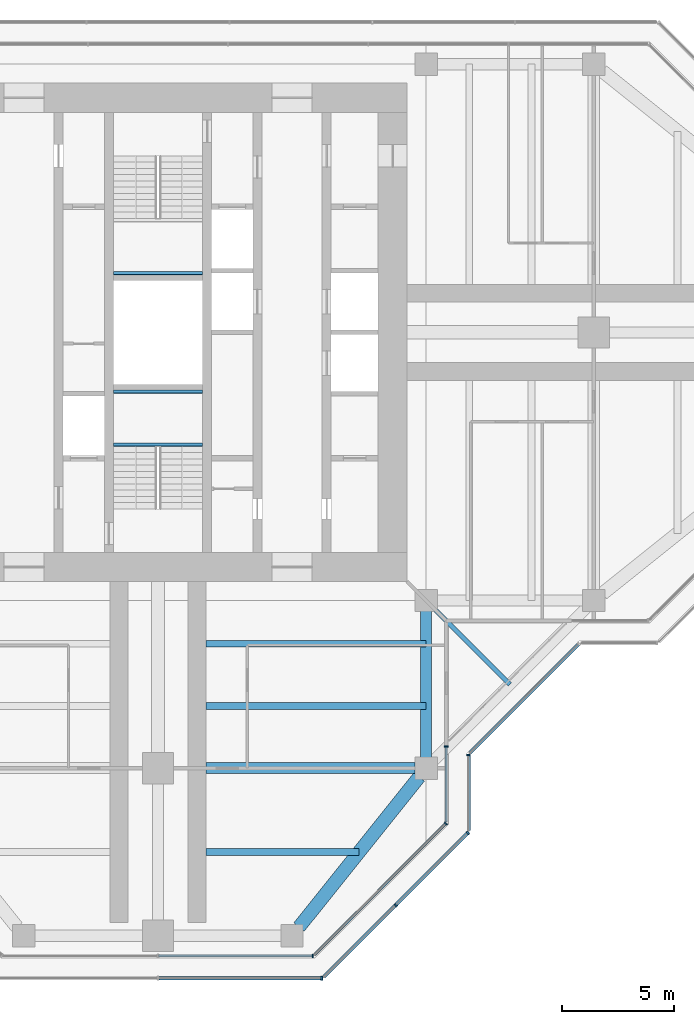
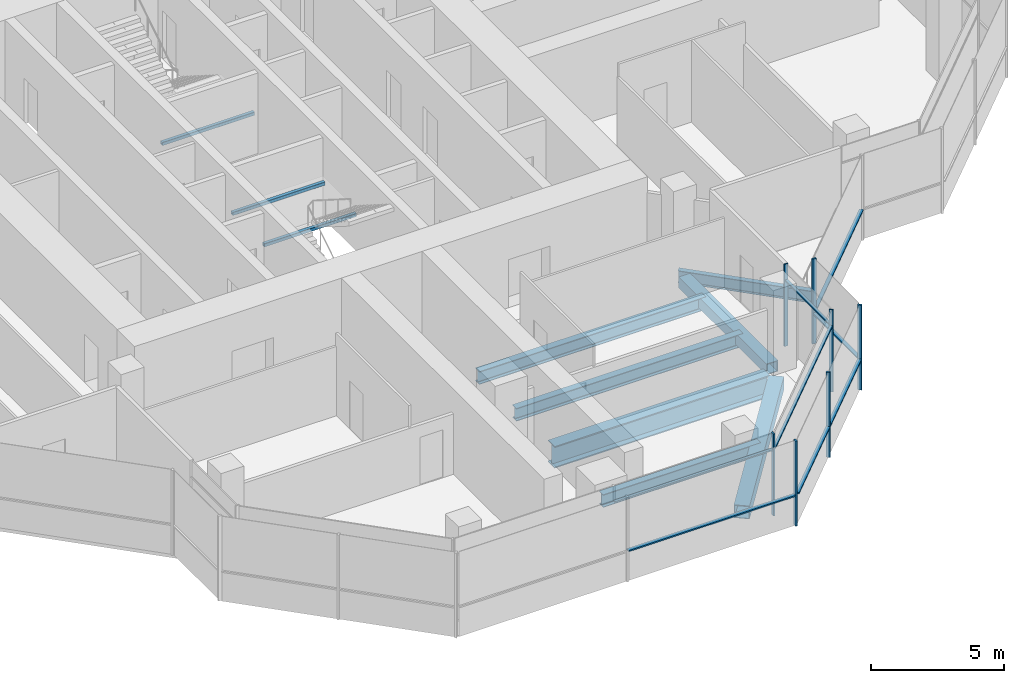
# One storey, part 4 of 16: 15 members, 10 beams, 7 elements without a shape of their own.
"""IFC4 building model written with IfcOpenShell, lengths in metres."""

from ifc_helpers import new_model, si_unit, direction, frame, origin, origin_2d, place, context, subcontext, project, spatial, rectangle, hollow_rectangle, i_section, extrude, material, material_profile, profile_set, type_object, element, aggregate, save


model = new_model("IFC4")

# Units and contexts
model_context = context("Model", 3, precision=1e-05, world=origin(), true_north=direction((0.0, 1.0)))
body_context = subcontext(model_context, "Body", "Model", "MODEL_VIEW")
ifc_project = project(units=[si_unit("LENGTHUNIT", "METRE"), si_unit("AREAUNIT", "SQUARE_METRE"), si_unit("VOLUMEUNIT", "CUBIC_METRE"), si_unit("PLANEANGLEUNIT", "RADIAN"), si_unit("MASSUNIT", "GRAM", prefix="KILO")], contexts=[model_context])

# Site, building, storey
site_placement = place(None, origin())
site = spatial("IfcSite", under=ifc_project, at=site_placement, CompositionType="ELEMENT")
building_placement = place(site_placement, origin())
building = spatial("IfcBuilding", under=site, at=building_placement, Name="Mizan Broadcast Tower", CompositionType="ELEMENT")
storey_placement = place(building_placement, frame((0.0, 0.0, 294.60009765625)))
storey = spatial("IfcBuildingStorey", under=building, at=storey_placement, Name="L70", CompositionType="ELEMENT", Elevation=294.60009765625)

# Beams
ifc_material_1 = material(Name="Steel S355", Category="steel")
ifc_material_profile_1 = material_profile(ifc_material_1, hollow_rectangle(XDim=0.5, YDim=0.5, WallThickness=0.030029296875, at=origin_2d()), Name="BOX 500x500x30")
ifc_profile_set_1 = profile_set([ifc_material_profile_1], Name="Steel S355")
beam_type_1 = type_object("IfcBeamType", Name="EDGE BEAM BOX 500x500x30", PredefinedType="SPANDREL", material=ifc_profile_set_1)
beam_1_placement = place(storey_placement, frame((12.0, -12.449951171875, -0.380126953125), z_axis=(0.0, -1.0, 0.0), x_axis=(1.0, 0.0, 0.0)))
element("IfcBeam", 1, at=beam_1_placement, inside=storey, type_object=beam_type_1, Name="Edge beam BOX 500x500x30 L70 south arm", PredefinedType="SPANDREL", context=body_context, shape_type="SweptSolid", body=[
    extrude(hollow_rectangle(XDim=0.5, YDim=0.5, WallThickness=0.030029296875, at=origin_2d()), origin(), (0.0, 0.0, 1.0), 6.60009765625),
])
ifc_material_2 = material(Name="Steel S355", Category="steel")
ifc_material_profile_2 = material_profile(ifc_material_2, hollow_rectangle(XDim=0.60009765625, YDim=0.60009765625, WallThickness=0.030029296875, at=origin_2d()), Name="BOX 600x600x30")
ifc_profile_set_2 = profile_set([ifc_material_profile_2], Name="Steel S355")
beam_type_2 = type_object("IfcBeamType", Name="EDGE BEAM BOX 600x600x30", PredefinedType="SPANDREL", material=ifc_profile_set_2)
beam_2_placement = place(storey_placement, frame((11.687744140625, -19.890380859375, -0.43017578125), z_axis=(-0.62470196761, -0.780863273348, 0.0), x_axis=(0.780863273348, -0.62470196761, 0.0)))
element("IfcBeam", 2, at=beam_2_placement, inside=storey, type_object=beam_type_2, Name="Edge beam BOX 600x600x30 L70 south arm", PredefinedType="SPANDREL", context=body_context, shape_type="SweptSolid", body=[
    extrude(hollow_rectangle(XDim=0.60009765625, YDim=0.60009765625, WallThickness=0.030029296875, at=origin_2d()), origin(), (0.0, 0.0, 1.0), 8.60498046875),
])
ifc_material_3 = material(Name="Steel S460", Category="steel")
ifc_material_profile_3 = material_profile(ifc_material_3, i_section(OverallWidth=0.5, OverallDepth=1.0, WebThickness=0.02490234375, FlangeThickness=0.050048828125, at=origin_2d()), Name="WPG 1000x500")
ifc_profile_set_3 = profile_set([ifc_material_profile_3], Name="Steel S460")
beam_type_3 = type_object("IfcBeamType", Name="GIRDER WPG 1000x500", PredefinedType="BEAM", material=ifc_profile_set_3)
beam_3_placement = place(storey_placement, frame((11.5, -19.5, -0.630126953125), z_axis=(-1.0, 0.0, 0.0), x_axis=(0.0, -1.0, 0.0)))
element("IfcBeam", 3, at=beam_3_placement, inside=storey, type_object=beam_type_3, Name="Girder WPG 1000x500 L70 south arm", PredefinedType="BEAM", context=body_context, shape_type="SweptSolid", body=[
    extrude(i_section(OverallWidth=0.5, OverallDepth=1.0, WebThickness=0.02490234375, FlangeThickness=0.050048828125, at=origin_2d()), origin(), (0.0, 0.0, 1.0), 9.35009765625),
])

# Curtain wall, member
ifc_material_4 = material(Name="Aluminium framed glazing", Category="aluminium")
curtain_wall_type_1 = type_object("IfcCurtainWallType", Name="INNER SKIN TOP ZONE", PredefinedType="USERDEFINED", material=ifc_material_4)
curtain_wall_1_placement = place(storey_placement, origin())
curtain_wall_1 = element("IfcCurtainWall", 4, at=curtain_wall_1_placement, inside=storey, type_object=curtain_wall_type_1, Name="Inner skin top zone L70 S end", ObjectType="INNER SKIN TOP ZONE", PredefinedType="USERDEFINED")
ifc_material_5 = material(Name="Aluminium, pale anodised", Category="aluminium")
ifc_material_profile_4 = material_profile(ifc_material_5, rectangle(XDim=0.159912109375, YDim=0.06005859375, at=origin_2d()), Name="MULLION 160x60")
ifc_profile_set_4 = profile_set([ifc_material_profile_4], Name="Aluminium, pale anodised")
member_type_1 = type_object("IfcMemberType", Name="INNER SKIN MULLION 60x160", PredefinedType="MULLION", material=ifc_profile_set_4)
member_1_placement = place(storey_placement, frame((6.928466796875, -27.89990234375, 0.0), z_axis=(0.0, 0.0, 1.0), x_axis=(0.0, 1.0, 0.0)))
member_1 = element("IfcMember", 5, at=member_1_placement, type_object=member_type_1, Name="Inner skin top zone L70 S end mullion 3", PredefinedType="MULLION", context=body_context, shape_type="SweptSolid", body=[
    extrude(rectangle(XDim=0.159912109375, YDim=0.06005859375, at=origin_2d()), origin(), (0.0, 0.0, 1.0), 3.77001953125),
])

curtain_wall_2_placement = place(storey_placement, origin())
curtain_wall_2 = element("IfcCurtainWall", 6, at=curtain_wall_2_placement, inside=storey, type_object=curtain_wall_type_1, Name="Inner skin top zone L70 S chamfer", ObjectType="INNER SKIN TOP ZONE", PredefinedType="USERDEFINED")
member_2_placement = place(storey_placement, frame((12.87890625, -21.979736328125, 0.0), z_axis=(0.0, 0.0, 1.0), x_axis=(-0.707106781187, 0.707106781187, 0.0)))
member_2 = element("IfcMember", 7, at=member_2_placement, type_object=member_type_1, Name="Inner skin top zone L70 S chamfer mullion 2", PredefinedType="MULLION", context=body_context, shape_type="SweptSolid", body=[
    extrude(rectangle(XDim=0.159912109375, YDim=0.06005859375, at=origin_2d()), origin(), (0.0, 0.0, 1.0), 3.77001953125),
])

curtain_wall_3_placement = place(storey_placement, origin())
curtain_wall_3 = element("IfcCurtainWall", 8, at=curtain_wall_3_placement, inside=storey, type_object=curtain_wall_type_1, Name="Inner skin top zone L70 S side", ObjectType="INNER SKIN TOP ZONE", PredefinedType="USERDEFINED")
member_3_placement = place(storey_placement, frame((12.89990234375, -18.530029296875, 0.0), z_axis=(0.0, 0.0, 1.0), x_axis=(-1.0, 0.0, 0.0)))
member_3 = element("IfcMember", 9, at=member_3_placement, type_object=member_type_1, Name="Inner skin top zone L70 S side mullion 2", PredefinedType="MULLION", context=body_context, shape_type="SweptSolid", body=[
    extrude(rectangle(XDim=0.159912109375, YDim=0.06005859375, at=origin_2d()), origin(), (0.0, 0.0, 1.0), 3.77001953125),
])

# Member
ifc_material_6 = material(Name="Aluminium, pale anodised", Category="aluminium")
ifc_material_profile_5 = material_profile(ifc_material_6, rectangle(XDim=0.1201171875, YDim=0.06005859375, at=origin_2d()), Name="TRANSOM 120x60")
ifc_profile_set_5 = profile_set([ifc_material_profile_5], Name="Aluminium, pale anodised")
member_type_2 = type_object("IfcMemberType", Name="INNER SKIN TRANSOM 60x120", PredefinedType="USERDEFINED", material=ifc_profile_set_5)
member_4_placement = place(storey_placement, frame((0.030029296875, -27.89990234375, 3.02978515625), z_axis=(1.0, 0.0, 0.0), x_axis=(0.0, 1.0, 0.0)))
member_4 = element("IfcMember", 10, at=member_4_placement, type_object=member_type_2, Name="Inner skin top zone L70 S end transom 2.1", ObjectType="TRANSOM", PredefinedType="USERDEFINED", context=body_context, shape_type="SweptSolid", body=[
    extrude(rectangle(XDim=0.1201171875, YDim=0.06005859375, at=origin_2d()), origin(), (0.0, 0.0, 1.0), 6.86865234375),
])

aggregate(curtain_wall_1, [member_1, member_4])

member_5_placement = place(storey_placement, frame((7.0009765625, -27.857666015625, 3.02978515625), z_axis=(0.707106781187, 0.707106781187, 0.0), x_axis=(-0.707106781187, 0.707106781187, 0.0)))
member_5 = element("IfcMember", 11, at=member_5_placement, type_object=member_type_2, Name="Inner skin top zone L70 S chamfer transom 1.1", ObjectType="TRANSOM", PredefinedType="USERDEFINED", context=body_context, shape_type="SweptSolid", body=[
    extrude(rectangle(XDim=0.1201171875, YDim=0.06005859375, at=origin_2d()), origin(), (0.0, 0.0, 1.0), 8.28271484375),
])

aggregate(curtain_wall_2, [member_2, member_5])

member_6_placement = place(storey_placement, frame((12.89990234375, -21.898681640625, 3.02978515625), z_axis=(0.0, 1.0, 0.0), x_axis=(-1.0, 0.0, 0.0)))
member_6 = element("IfcMember", 12, at=member_6_placement, type_object=member_type_2, Name="Inner skin top zone L70 S side transom 1.1", ObjectType="TRANSOM", PredefinedType="USERDEFINED", context=body_context, shape_type="SweptSolid", body=[
    extrude(rectangle(XDim=0.1201171875, YDim=0.06005859375, at=origin_2d()), origin(), (0.0, 0.0, 1.0), 3.338623046875),
])

aggregate(curtain_wall_3, [member_3, member_6])

# Beams
ifc_material_7 = material(Name="Steel S355", Category="steel")
ifc_material_profile_6 = material_profile(ifc_material_7, hollow_rectangle(XDim=0.14990234375, YDim=0.14990234375, WallThickness=0.008056640625, InnerFilletRadius=0.008056640625, OuterFilletRadius=0.011962890625, at=origin_2d()), Name="SHS 150x150x8")
ifc_profile_set_6 = profile_set([ifc_material_profile_6], Name="Steel S355")
beam_type_4 = type_object("IfcBeamType", Name="LANDING TRIMMER SHS 150x150x8", PredefinedType="BEAM", material=ifc_profile_set_6)
for number, where, z_axis, x_axis, name in (
    (13, (-2.0, -5.02490234375, 1.6748046875), (1.0, 0.0, 0.0), (0.0, 1.0, 0.0), "Stair A landing trimmer L70"),
    (14, (-2.0, -2.64990234375, 1.6748046875), (1.0, 0.0, 0.0), (0.0, 1.0, 0.0), "Stair A landing trimmer L70"),
    (15, (2.0, 2.64990234375, 1.6748046875), (-1.0, 0.0, 0.0), (0.0, -1.0, 0.0), "Stair B landing trimmer L70"),
):
    element("IfcBeam", number, at=place(storey_placement, frame(where, z_axis=z_axis, x_axis=x_axis)), inside=storey, type_object=beam_type_4, Name=name, PredefinedType="BEAM", context=body_context, shape_type="SweptSolid", body=[
        extrude(hollow_rectangle(XDim=0.14990234375, YDim=0.14990234375, WallThickness=0.008056640625, InnerFilletRadius=0.008056640625, OuterFilletRadius=0.011962890625, at=origin_2d()), origin(), (0.0, 0.0, 1.0), 4.0),
    ])

# Curtain wall, member
ifc_material_8 = material(Name="Aluminium framed glazing", Category="aluminium")
curtain_wall_type_2 = type_object("IfcCurtainWallType", Name="OUTER SKIN", PredefinedType="USERDEFINED", material=ifc_material_8)
curtain_wall_4_placement = place(storey_placement, origin())
curtain_wall_4 = element("IfcCurtainWall", 16, at=curtain_wall_4_placement, inside=storey, type_object=curtain_wall_type_2, Name="Outer skin L70 S end", ObjectType="OUTER SKIN", PredefinedType="USERDEFINED")
ifc_material_9 = material(Name="Aluminium, pale anodised", Category="aluminium")
ifc_material_profile_7 = material_profile(ifc_material_9, rectangle(XDim=0.159912109375, YDim=0.080078125, at=origin_2d()), Name="MULLION 160x80")
ifc_profile_set_7 = profile_set([ifc_material_profile_7], Name="Aluminium, pale anodised")
member_type_3 = type_object("IfcMemberType", Name="OUTER SKIN MULLION 80x160", PredefinedType="MULLION", material=ifc_profile_set_7)
member_7_placement = place(storey_placement, frame((7.332763671875, -28.89990234375, 0.0), z_axis=(0.0, 0.0, 1.0), x_axis=(0.0, 1.0, 0.0)))
member_7 = element("IfcMember", 17, at=member_7_placement, type_object=member_type_3, Name="Outer skin L70 S end mullion 3", PredefinedType="MULLION", context=body_context, shape_type="SweptSolid", body=[
    extrude(rectangle(XDim=0.159912109375, YDim=0.080078125, at=origin_2d()), origin(), (0.0, 0.0, 1.0), 3.89990234375),
])

# Curtain wall, members
curtain_wall_5_placement = place(storey_placement, origin())
curtain_wall_5 = element("IfcCurtainWall", 18, at=curtain_wall_5_placement, inside=storey, type_object=curtain_wall_type_2, Name="Outer skin L70 S chamfer", ObjectType="OUTER SKIN", PredefinedType="USERDEFINED")
member_8_placement = place(storey_placement, frame((10.636474609375, -25.636474609375, 0.0), z_axis=(0.0, 0.0, 1.0), x_axis=(-0.707106781187, 0.707106781187, 0.0)))
member_8 = element("IfcMember", 19, at=member_8_placement, type_object=member_type_3, Name="Outer skin L70 S chamfer mullion 2", PredefinedType="MULLION", context=body_context, shape_type="SweptSolid", body=[
    extrude(rectangle(XDim=0.159912109375, YDim=0.080078125, at=origin_2d()), origin(), (0.0, 0.0, 1.0), 3.89990234375),
])
member_9_placement = place(storey_placement, frame((13.871826171875, -22.401123046875, 0.0), z_axis=(0.0, 0.0, 1.0), x_axis=(-0.707106781187, 0.707106781187, 0.0)))
member_9 = element("IfcMember", 20, at=member_9_placement, type_object=member_type_3, Name="Outer skin L70 S chamfer mullion 3", PredefinedType="MULLION", context=body_context, shape_type="SweptSolid", body=[
    extrude(rectangle(XDim=0.159912109375, YDim=0.080078125, at=origin_2d()), origin(), (0.0, 0.0, 1.0), 3.89990234375),
])

# Curtain wall, member
curtain_wall_6_placement = place(storey_placement, origin())
curtain_wall_6 = element("IfcCurtainWall", 21, at=curtain_wall_6_placement, inside=storey, type_object=curtain_wall_type_2, Name="Outer skin L70 S side", ObjectType="OUTER SKIN", PredefinedType="USERDEFINED")
member_10_placement = place(storey_placement, frame((13.89990234375, -18.912841796875, 0.0), z_axis=(0.0, 0.0, 1.0), x_axis=(-1.0, 0.0, 0.0)))
member_10 = element("IfcMember", 22, at=member_10_placement, type_object=member_type_3, Name="Outer skin L70 S side mullion 2", PredefinedType="MULLION", context=body_context, shape_type="SweptSolid", body=[
    extrude(rectangle(XDim=0.159912109375, YDim=0.080078125, at=origin_2d()), origin(), (0.0, 0.0, 1.0), 3.89990234375),
])

# Member
ifc_material_10 = material(Name="Aluminium, pale anodised", Category="aluminium")
ifc_material_profile_8 = material_profile(ifc_material_10, rectangle(XDim=0.159912109375, YDim=0.06005859375, at=origin_2d()), Name="TRANSOM 160x60")
ifc_profile_set_8 = profile_set([ifc_material_profile_8], Name="Aluminium, pale anodised")
member_type_4 = type_object("IfcMemberType", Name="OUTER SKIN TRANSOM 60x160", PredefinedType="USERDEFINED", material=ifc_profile_set_8)
member_11_placement = place(storey_placement, frame((0.0400390625, -28.89990234375, 1.39990234375), z_axis=(1.0, 0.0, 0.0), x_axis=(0.0, 1.0, 0.0)))
member_11 = element("IfcMember", 23, at=member_11_placement, type_object=member_type_4, Name="Outer skin L70 S end transom 2.1", ObjectType="TRANSOM", PredefinedType="USERDEFINED", context=body_context, shape_type="SweptSolid", body=[
    extrude(rectangle(XDim=0.159912109375, YDim=0.06005859375, at=origin_2d()), origin(), (0.0, 0.0, 1.0), 7.252685546875),
])

aggregate(curtain_wall_4, [member_7, member_11])

member_12_placement = place(storey_placement, frame((7.429443359375, -28.843505859375, 1.39990234375), z_axis=(0.707106781187, 0.707106781187, 0.0), x_axis=(-0.707106781187, 0.707106781187, 0.0)))
member_12 = element("IfcMember", 24, at=member_12_placement, type_object=member_type_4, Name="Outer skin L70 S chamfer transom 1.1", ObjectType="TRANSOM", PredefinedType="USERDEFINED", context=body_context, shape_type="SweptSolid", body=[
    extrude(rectangle(XDim=0.159912109375, YDim=0.06005859375, at=origin_2d()), origin(), (0.0, 0.0, 1.0), 4.495361328125),
])

member_13_placement = place(storey_placement, frame((10.664794921875, -25.608154296875, 1.39990234375), z_axis=(0.707106781187, 0.707106781187, 0.0), x_axis=(-0.707106781187, 0.707106781187, 0.0)))
member_13 = element("IfcMember", 25, at=member_13_placement, type_object=member_type_4, Name="Outer skin L70 S chamfer transom 2.1", ObjectType="TRANSOM", PredefinedType="USERDEFINED", context=body_context, shape_type="SweptSolid", body=[
    extrude(rectangle(XDim=0.159912109375, YDim=0.06005859375, at=origin_2d()), origin(), (0.0, 0.0, 1.0), 4.495361328125),
])

aggregate(curtain_wall_5, [member_8, member_9, member_12, member_13])

member_14_placement = place(storey_placement, frame((13.89990234375, -22.292724609375, 1.39990234375), z_axis=(0.0, 1.0, 0.0), x_axis=(-1.0, 0.0, 0.0)))
member_14 = element("IfcMember", 26, at=member_14_placement, type_object=member_type_4, Name="Outer skin L70 S side transom 1.1", ObjectType="TRANSOM", PredefinedType="USERDEFINED", context=body_context, shape_type="SweptSolid", body=[
    extrude(rectangle(XDim=0.159912109375, YDim=0.06005859375, at=origin_2d()), origin(), (0.0, 0.0, 1.0), 3.33984375),
])

aggregate(curtain_wall_6, [member_10, member_14])

# Curtain wall, member
curtain_wall_7_placement = place(storey_placement, origin())
curtain_wall_7 = element("IfcCurtainWall", 27, at=curtain_wall_7_placement, inside=storey, type_object=curtain_wall_type_2, Name="Outer skin L70 E chamfer", ObjectType="OUTER SKIN", PredefinedType="USERDEFINED")
member_15_placement = place(storey_placement, frame((13.95654296875, -18.816162109375, 1.39990234375), z_axis=(0.707106781187, 0.707106781187, 0.0), x_axis=(-0.707106781187, 0.707106781187, 0.0)))
member_15 = element("IfcMember", 28, at=member_15_placement, type_object=member_type_4, Name="Outer skin L70 E chamfer transom 1.1", ObjectType="TRANSOM", PredefinedType="USERDEFINED", context=body_context, shape_type="SweptSolid", body=[
    extrude(rectangle(XDim=0.159912109375, YDim=0.06005859375, at=origin_2d()), origin(), (0.0, 0.0, 1.0), 6.87255859375),
])
aggregate(curtain_wall_7, [member_15])

# Beams
ifc_material_11 = material(Name="Steel S355", Category="steel")
ifc_material_profile_9 = material_profile(ifc_material_11, i_section(OverallWidth=0.300048828125, OverallDepth=0.590087890625, WebThickness=0.012939453125, FlangeThickness=0.02490234375, FilletRadius=0.027099609375, at=origin_2d()), Name="HEA 600")
ifc_profile_set_9 = profile_set([ifc_material_profile_9], Name="Steel S355")
beam_type_5 = type_object("IfcBeamType", Name="SECONDARY BEAM HEA 600", PredefinedType="JOIST", material=ifc_profile_set_9)
for number, where, z_axis, x_axis, name in (
    (29, (12.0, -13.933349609375, -0.425048828125), (-1.0, 0.0, 0.0), (0.0, -1.0, 0.0), "Secondary beam HEA 600 L70 south arm"),
    (30, (12.0, -16.716552734375, -0.425048828125), (-1.0, 0.0, 0.0), (0.0, -1.0, 0.0), "Secondary beam HEA 600 L70 south arm"),
):
    element("IfcBeam", number, at=place(storey_placement, frame(where, z_axis=z_axis, x_axis=x_axis)), inside=storey, type_object=beam_type_5, Name=name, PredefinedType="JOIST", context=body_context, shape_type="SweptSolid", body=[
        extrude(i_section(OverallWidth=0.300048828125, OverallDepth=0.590087890625, WebThickness=0.012939453125, FlangeThickness=0.02490234375, FilletRadius=0.027099609375, at=origin_2d()), origin(), (0.0, 0.0, 1.0), 9.85009765625),
    ])
beam_4_placement = place(storey_placement, frame((9.0, -23.25, -0.425048828125), z_axis=(-1.0, 0.0, 0.0), x_axis=(0.0, -1.0, 0.0)))
element("IfcBeam", 31, at=beam_4_placement, inside=storey, type_object=beam_type_5, Name="Secondary beam HEA 600 L70 south arm", PredefinedType="JOIST", context=body_context, shape_type="SweptSolid", body=[
    extrude(i_section(OverallWidth=0.300048828125, OverallDepth=0.590087890625, WebThickness=0.012939453125, FlangeThickness=0.02490234375, FilletRadius=0.027099609375, at=origin_2d()), origin(), (0.0, 0.0, 1.0), 6.85009765625),
])
ifc_material_12 = material(Name="Steel S355", Category="steel")
ifc_material_profile_10 = material_profile(ifc_material_12, i_section(OverallWidth=0.2099609375, OverallDepth=0.550048828125, WebThickness=0.010986328125, FlangeThickness=0.01708984375, FilletRadius=0.02392578125, at=origin_2d()), Name="IPE 550")
ifc_profile_set_10 = profile_set([ifc_material_profile_10], Name="Steel S355")
beam_type_6 = type_object("IfcBeamType", Name="SECONDARY BEAM IPE 550", PredefinedType="JOIST", material=ifc_profile_set_10)
beam_5_placement = place(storey_placement, frame((12.0, -12.0, -0.405029296875), z_axis=(0.707106781187, -0.707106781187, 0.0), x_axis=(0.707106781187, 0.707106781187, 0.0)))
element("IfcBeam", 32, at=beam_5_placement, inside=storey, type_object=beam_type_6, Name="Winter garden beam L70 S", PredefinedType="JOIST", context=body_context, shape_type="SweptSolid", body=[
    extrude(i_section(OverallWidth=0.2099609375, OverallDepth=0.550048828125, WebThickness=0.010986328125, FlangeThickness=0.01708984375, FilletRadius=0.02392578125, at=origin_2d()), origin(), (0.0, 0.0, 1.0), 5.30322265625),
])

save(model, "model.ifc")
